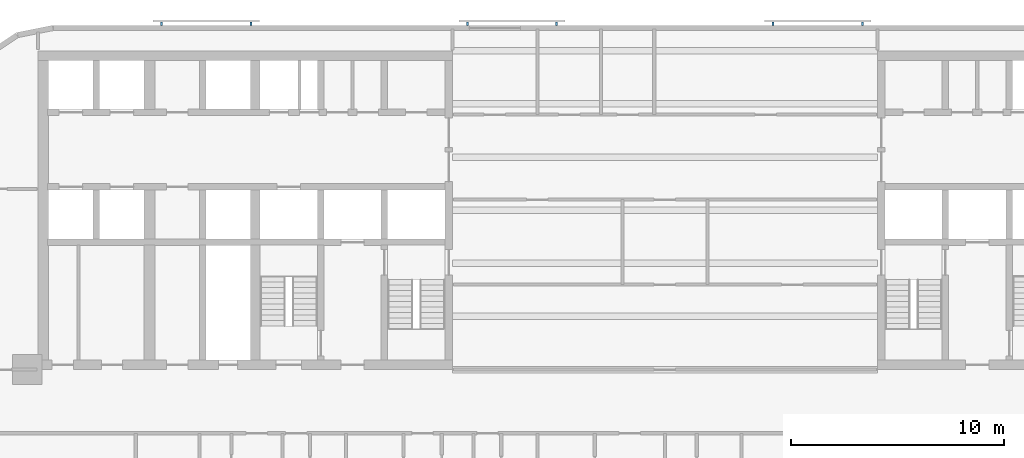
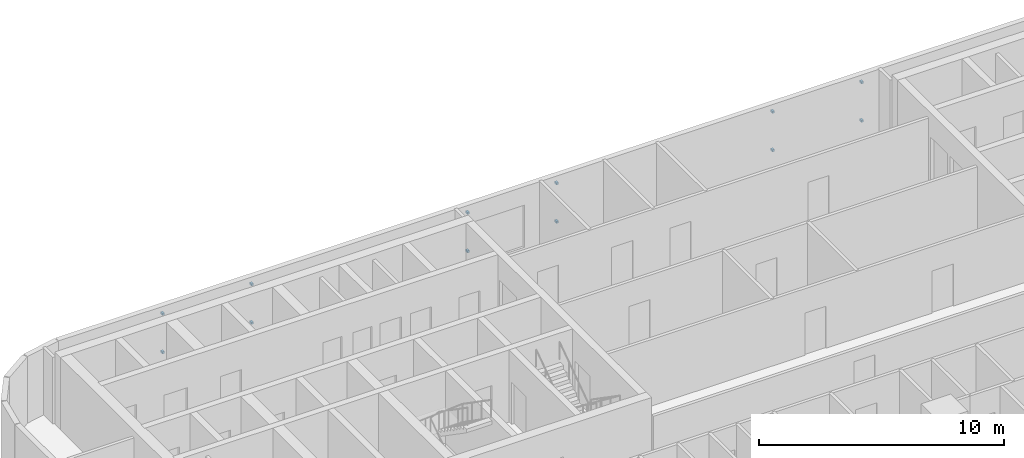
# One storey, part 10 of 14: 12 discrete accessories.
"""IFC4 building model written with IfcOpenShell, lengths in metres."""

from ifc_helpers import new_model, si_unit, direction, frame, origin, origin_2d, place, context, subcontext, project, spatial, rectangle, extrude, material, type_object, element, save


model = new_model("IFC4")

# Units and contexts
model_context = context("Model", 3, precision=1e-05, world=origin(), true_north=direction((0.0, 1.0)))
body_context = subcontext(model_context, "Body", "Model", "MODEL_VIEW")
ifc_project = project(units=[si_unit("LENGTHUNIT", "METRE"), si_unit("AREAUNIT", "SQUARE_METRE"), si_unit("VOLUMEUNIT", "CUBIC_METRE"), si_unit("PLANEANGLEUNIT", "RADIAN"), si_unit("MASSUNIT", "GRAM", prefix="KILO")], contexts=[model_context])

# Site, building, storey
site_placement = place(None, origin())
site = spatial("IfcSite", under=ifc_project, at=site_placement, CompositionType="ELEMENT")
building_placement = place(site_placement, origin())
building = spatial("IfcBuilding", under=site, at=building_placement, Name="Torana Hotel and Residences", CompositionType="ELEMENT")
storey_placement = place(building_placement, frame((0.0, 0.0, 74.39990234375)))
storey = spatial("IfcBuildingStorey", under=building, at=storey_placement, Name="L18", CompositionType="ELEMENT", Elevation=74.39990234375)

# Discrete accessories
ifc_material = material(Name="Steel S355", Category="steel")
discrete_accessory_type = type_object("IfcDiscreteAccessoryType", Name="SCREEN BRACKET 100", PredefinedType="BRACKET", material=ifc_material)
for number, where, z_axis, x_axis, name in (
    (1, (9.293701171875, 1.27490234375, 0.75), (0.0, 0.0, 1.0), (-1.0, 0.0, 0.0), "Screen bracket L18"),
    (2, (9.293701171875, 1.27490234375, 2.670166015625), (0.0, 0.0, 1.0), (-1.0, 0.0, 0.0), "Screen bracket L18"),
    (3, (5.09375, 1.27490234375, 0.75), (0.0, 0.0, 1.0), (-1.0, 0.0, 0.0), "Screen bracket L18"),
    (4, (5.09375, 1.27490234375, 2.670166015625), (0.0, 0.0, 1.0), (-1.0, 0.0, 0.0), "Screen bracket L18"),
    (5, (-5.09375, 1.27490234375, 0.75), (0.0, 0.0, 1.0), (-1.0, 0.0, 0.0), "Screen bracket L18"),
    (6, (-5.09375, 1.27490234375, 2.670166015625), (0.0, 0.0, 1.0), (-1.0, 0.0, 0.0), "Screen bracket L18"),
    (7, (-9.293701171875, 1.27490234375, 0.75), (0.0, 0.0, 1.0), (-1.0, 0.0, 0.0), "Screen bracket L18"),
    (8, (-9.293701171875, 1.27490234375, 2.670166015625), (0.0, 0.0, 1.0), (-1.0, 0.0, 0.0), "Screen bracket L18"),
    (9, (-19.4814453125, 1.27490234375, 0.75), (0.0, 0.0, 1.0), (-1.0, 0.0, 0.0), "Screen bracket L18"),
    (10, (-19.4814453125, 1.27490234375, 2.670166015625), (0.0, 0.0, 1.0), (-1.0, 0.0, 0.0), "Screen bracket L18"),
    (11, (-23.681396484375, 1.27490234375, 0.75), (0.0, 0.0, 1.0), (-1.0, 0.0, 0.0), "Screen bracket L18"),
    (12, (-23.681396484375, 1.27490234375, 2.670166015625), (0.0, 0.0, 1.0), (-1.0, 0.0, 0.0), "Screen bracket L18"),
):
    element("IfcDiscreteAccessory", number, at=place(storey_placement, frame(where, z_axis=z_axis, x_axis=x_axis)), inside=storey, type_object=discrete_accessory_type, Name=name, PredefinedType="BRACKET", context=body_context, shape_type="SweptSolid", body=[
        extrude(rectangle(XDim=0.10009765625, YDim=0.14990234375, at=origin_2d()), origin(), (0.0, 0.0, 1.0), 0.10009765625),
    ])

save(model, "model.ifc")
